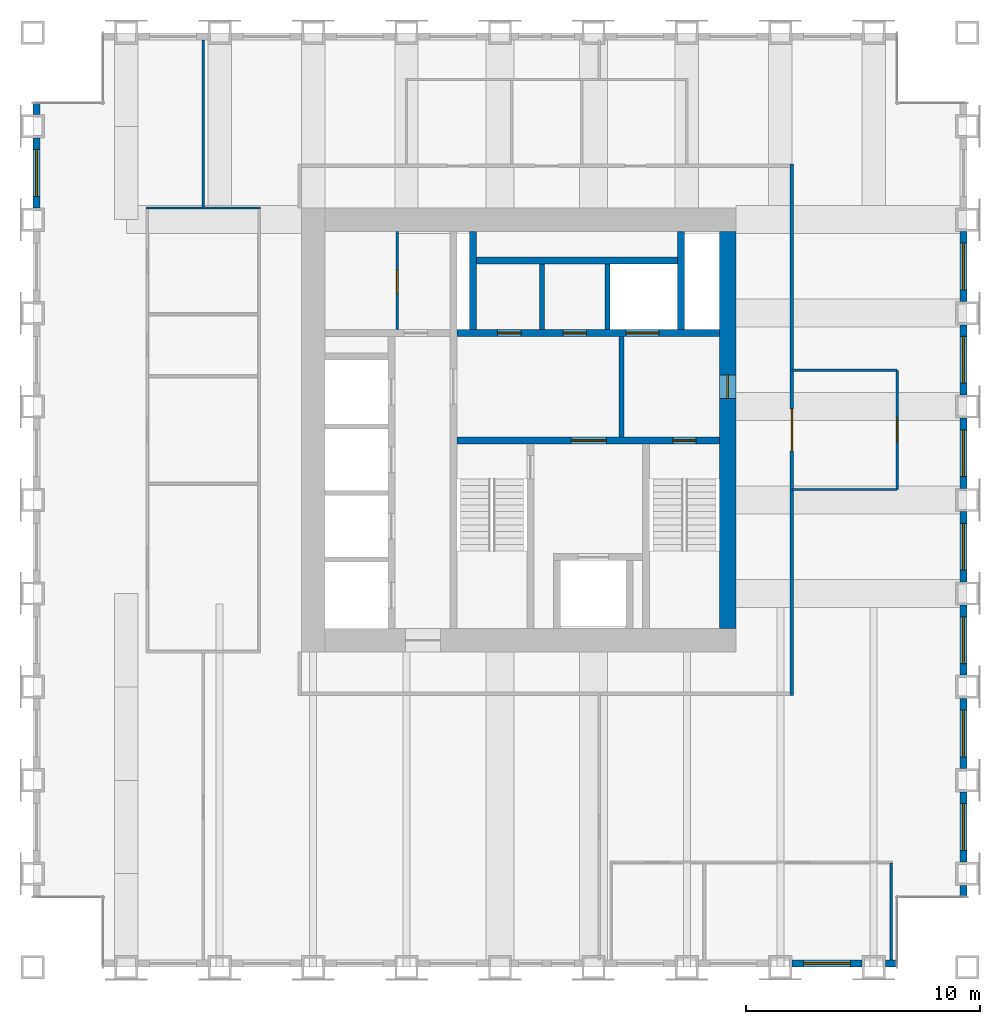
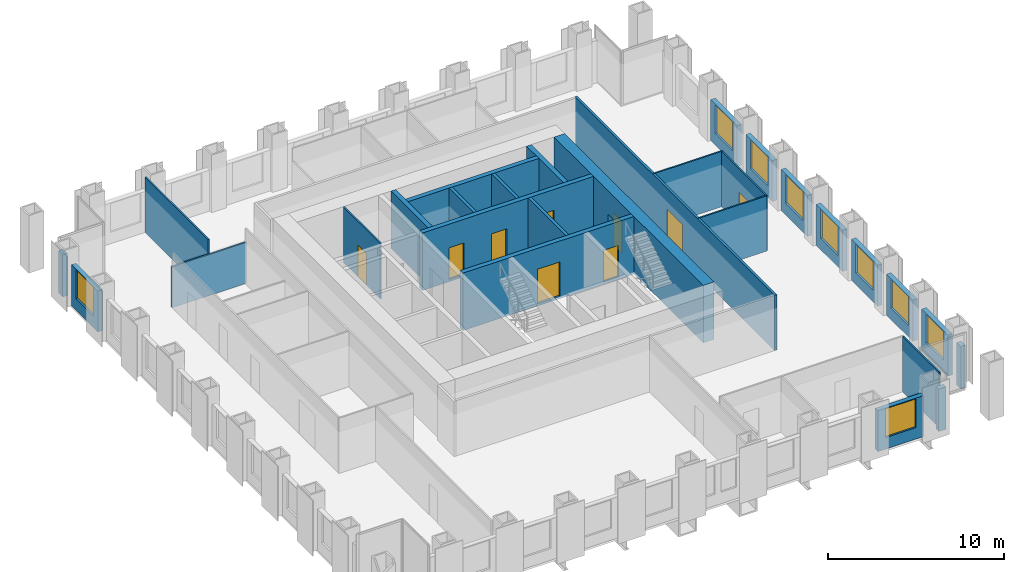
# One storey, part 8 of 10: 29 walls, 9 doors, 9 windows, 18 openings.
"""IFC4 building model written with IfcOpenShell, lengths in metres."""

from ifc_helpers import new_model, si_unit, direction, frame, frame_2d, origin, place, context, subcontext, project, spatial, rectangle, extrude, material, layer, layer_set, type_object, element, fill, save


model = new_model("IFC4")

# Units and contexts
model_context = context("Model", 3, precision=1e-05, world=origin(), true_north=direction((0.0, 1.0)))
body_context = subcontext(model_context, "Body", "Model", "MODEL_VIEW")
ifc_project = project(units=[si_unit("LENGTHUNIT", "METRE"), si_unit("AREAUNIT", "SQUARE_METRE"), si_unit("VOLUMEUNIT", "CUBIC_METRE"), si_unit("PLANEANGLEUNIT", "RADIAN"), si_unit("MASSUNIT", "GRAM", prefix="KILO")], contexts=[model_context])

# Site, building, storey
site_placement = place(None, origin())
site = spatial("IfcSite", under=ifc_project, at=site_placement, CompositionType="ELEMENT")
building_placement = place(site_placement, origin())
building = spatial("IfcBuilding", under=site, at=building_placement, Name="Rimbunsela Tower", CompositionType="ELEMENT")
storey_placement = place(building_placement, frame((0.0, 0.0, 274.199951171875)))
storey = spatial("IfcBuildingStorey", under=building, at=storey_placement, Name="L66", CompositionType="ELEMENT", Elevation=274.199951171875)

# Wall, openings, doors
ifc_material_1 = material(Name="Concrete fc' 80 MPa", Category="concrete")
ifc_layer_1 = layer(ifc_material_1, 0.300048828125)
ifc_layer_set_1 = layer_set([ifc_layer_1], Name="Core internal wall 300")
wall_type_1 = type_object("IfcWallType", Name="Core internal wall 300", PredefinedType="SHEAR", material=ifc_layer_set_1)
wall_1_placement = place(storey_placement, frame((24.14990234375, 26.550048828125, -0.14990234375), z_axis=(0.0, 0.0, 1.0), x_axis=(1.0, 0.0, 0.0)))
wall_1 = element("IfcWall", 1, at=wall_1_placement, inside=storey, type_object=wall_type_1, Name="Core wall lobby south", PredefinedType="SHEAR", context=body_context, shape_type="SweptSolid", body=[
    extrude(rectangle(XDim=11.25, YDim=0.300048828125, at=frame_2d((5.625, 0.0))), origin(), (0.0, 0.0, 1.0), 4.0),
])
opening_1_placement = place(wall_1_placement, frame((9.25, 0.0, 0.14990234375)))
opening_1 = element("IfcOpeningElement", 2, at=opening_1_placement, cuts=wall_1, Name="Opening D01", PredefinedType="OPENING", context=body_context, shape_type="SweptSolid", body=[
    extrude(rectangle(XDim=1.0, YDim=2.199951171875, at=frame_2d((0.5, 1.10009765625))), frame((0.0, 0.159912109375, 0.0), z_axis=(0.0, -1.0, 0.0), x_axis=(1.0, 0.0, 0.0)), (0.0, 0.0, 1.0), 0.320068359375),
])
opening_2_placement = place(wall_1_placement, frame((4.89990234375, 0.0, 0.14990234375)))
opening_2 = element("IfcOpeningElement", 3, at=opening_2_placement, cuts=wall_1, Name="Opening D03", PredefinedType="OPENING", context=body_context, shape_type="SweptSolid", body=[
    extrude(rectangle(XDim=1.5, YDim=2.39990234375, at=frame_2d((0.75, 1.199951171875))), frame((0.0, 0.159912109375, 0.0), z_axis=(0.0, -1.0, 0.0), x_axis=(1.0, 0.0, 0.0)), (0.0, 0.0, 1.0), 0.320068359375),
])
ifc_material_2 = material(Name="Steel door, fire rated", Category="steel")
door_type_1 = type_object("IfcDoorType", Name="Core lobby door 1500", OperationType="DOUBLE_DOOR_DOUBLE_SWING", PredefinedType="DOOR", material=ifc_material_2)
door_1_placement = place(opening_2_placement, origin())
door_1 = element("IfcDoor", 4, at=door_1_placement, inside=storey, type_object=door_type_1, Name="Firefighting lobby door", OperationType="DOUBLE_DOOR_DOUBLE_SWING", OverallHeight=2.39990234375, OverallWidth=1.5, PredefinedType="DOOR", context=body_context, shape_type="SweptSolid", body=[
    extrude(rectangle(XDim=1.5, YDim=2.39990234375, at=frame_2d((0.75, 1.199951171875))), frame((0.0, 0.02490234375, 0.0), z_axis=(0.0, -1.0, 0.0), x_axis=(1.0, 0.0, 0.0)), (0.0, 0.0, 1.0), 0.050048828125),
])
fill(opening_2, door_1)
ifc_material_3 = material(Name="Steel door, fire rated", Category="steel")
door_type_2 = type_object("IfcDoorType", Name="Stair door 1000", OperationType="SINGLE_SWING_RIGHT", PredefinedType="DOOR", material=ifc_material_3)
door_2_placement = place(opening_1_placement, frame((1.0, 0.0, 0.0), z_axis=(0.0, 0.0, 1.0), x_axis=(-1.0, 0.0, 0.0)))
door_2 = element("IfcDoor", 5, at=door_2_placement, inside=storey, type_object=door_type_2, Name="Stair B door", OperationType="SINGLE_SWING_RIGHT", OverallHeight=2.199951171875, OverallWidth=1.0, PredefinedType="DOOR", context=body_context, shape_type="SweptSolid", body=[
    extrude(rectangle(XDim=1.0, YDim=2.199951171875, at=frame_2d((0.5, 1.10009765625))), frame((0.0, 0.02490234375, 0.0), z_axis=(0.0, -1.0, 0.0), x_axis=(1.0, 0.0, 0.0)), (0.0, 0.0, 1.0), 0.050048828125),
])
fill(opening_1, door_2)

wall_2_placement = place(storey_placement, frame((24.14990234375, 31.14990234375, -0.14990234375), z_axis=(0.0, 0.0, 1.0), x_axis=(1.0, 0.0, 0.0)))
wall_2 = element("IfcWall", 6, at=wall_2_placement, inside=storey, type_object=wall_type_1, Name="Lift shaft front north", PredefinedType="SHEAR", context=body_context, shape_type="SweptSolid", body=[
    extrude(rectangle(XDim=11.25, YDim=0.300048828125, at=frame_2d((5.625, 0.0))), origin(), (0.0, 0.0, 1.0), 4.0),
])
opening_3_placement = place(wall_2_placement, frame((1.75, 0.0, 0.14990234375)))
opening_3 = element("IfcOpeningElement", 7, at=opening_3_placement, cuts=wall_2, Name="Opening D19", PredefinedType="OPENING", context=body_context, shape_type="SweptSolid", body=[
    extrude(rectangle(XDim=1.0, YDim=2.199951171875, at=frame_2d((0.5, 1.10009765625))), frame((0.0, 0.159912109375, 0.0), z_axis=(0.0, -1.0, 0.0), x_axis=(1.0, 0.0, 0.0)), (0.0, 0.0, 1.0), 0.320068359375),
])
opening_4_placement = place(wall_2_placement, frame((4.550048828125, 0.0, 0.14990234375)))
opening_4 = element("IfcOpeningElement", 8, at=opening_4_placement, cuts=wall_2, Name="Opening D19", PredefinedType="OPENING", context=body_context, shape_type="SweptSolid", body=[
    extrude(rectangle(XDim=1.0, YDim=2.199951171875, at=frame_2d((0.5, 1.10009765625))), frame((0.0, 0.159912109375, 0.0), z_axis=(0.0, -1.0, 0.0), x_axis=(1.0, 0.0, 0.0)), (0.0, 0.0, 1.0), 0.320068359375),
])
opening_5_placement = place(wall_2_placement, frame((7.25, 0.0, 0.14990234375)))
opening_5 = element("IfcOpeningElement", 9, at=opening_5_placement, cuts=wall_2, Name="Opening LD3", PredefinedType="OPENING", context=body_context, shape_type="SweptSolid", body=[
    extrude(rectangle(XDim=1.39990234375, YDim=2.39990234375, at=frame_2d((0.699951171875, 1.199951171875))), frame((0.0, 0.159912109375, 0.0), z_axis=(0.0, -1.0, 0.0), x_axis=(1.0, 0.0, 0.0)), (0.0, 0.0, 1.0), 0.320068359375),
])
ifc_material_4 = material(Name="Steel door, fire rated", Category="steel")
door_type_3 = type_object("IfcDoorType", Name="Lift landing door 1400", OperationType="DOUBLE_DOOR_SLIDING", PredefinedType="DOOR", material=ifc_material_4)
door_3_placement = place(opening_5_placement, origin())
door_3 = element("IfcDoor", 10, at=door_3_placement, inside=storey, type_object=door_type_3, Name="Lift landing door FL2", OperationType="DOUBLE_DOOR_SLIDING", OverallHeight=2.39990234375, OverallWidth=1.39990234375, PredefinedType="DOOR", context=body_context, shape_type="SweptSolid", body=[
    extrude(rectangle(XDim=1.39990234375, YDim=2.39990234375, at=frame_2d((0.699951171875, 1.199951171875))), frame((0.0, 0.02490234375, 0.0), z_axis=(0.0, -1.0, 0.0), x_axis=(1.0, 0.0, 0.0)), (0.0, 0.0, 1.0), 0.050048828125),
])
fill(opening_5, door_3)
ifc_material_5 = material(Name="Steel door, fire rated", Category="steel")
door_type_4 = type_object("IfcDoorType", Name="Service door 1000 fire rated", OperationType="SINGLE_SWING_LEFT", PredefinedType="DOOR", material=ifc_material_5)
door_4_placement = place(opening_3_placement, origin())
door_4 = element("IfcDoor", 11, at=door_4_placement, inside=storey, type_object=door_type_4, Name="Staff WC door", OperationType="SINGLE_SWING_LEFT", OverallHeight=2.199951171875, OverallWidth=1.0, PredefinedType="DOOR", context=body_context, shape_type="SweptSolid", body=[
    extrude(rectangle(XDim=1.0, YDim=2.199951171875, at=frame_2d((0.5, 1.10009765625))), frame((0.0, 0.02490234375, 0.0), z_axis=(0.0, -1.0, 0.0), x_axis=(1.0, 0.0, 0.0)), (0.0, 0.0, 1.0), 0.050048828125),
])
fill(opening_3, door_4)
door_5_placement = place(opening_4_placement, origin())
door_5 = element("IfcDoor", 12, at=door_5_placement, inside=storey, type_object=door_type_4, Name="Cleaners store door", OperationType="SINGLE_SWING_LEFT", OverallHeight=2.199951171875, OverallWidth=1.0, PredefinedType="DOOR", context=body_context, shape_type="SweptSolid", body=[
    extrude(rectangle(XDim=1.0, YDim=2.199951171875, at=frame_2d((0.5, 1.10009765625))), frame((0.0, 0.02490234375, 0.0), z_axis=(0.0, -1.0, 0.0), x_axis=(1.0, 0.0, 0.0)), (0.0, 0.0, 1.0), 0.050048828125),
])
fill(opening_4, door_5)

# Walls
for number, where, z_axis, x_axis, name in (
    (13, (24.85009765625, 31.300048828125, -0.14990234375), (0.0, 0.0, 1.0), (0.0, 1.0, 0.0), "Riser wall"),
    (14, (33.75, 31.300048828125, -0.14990234375), (0.0, 0.0, 1.0), (0.0, 1.0, 0.0), "Riser wall"),
):
    element("IfcWall", number, at=place(storey_placement, frame(where, z_axis=z_axis, x_axis=x_axis)), inside=storey, type_object=wall_type_1, Name=name, PredefinedType="SHEAR", context=body_context, shape_type="SweptSolid", body=[
        extrude(rectangle(XDim=4.199951171875, YDim=0.300048828125, at=frame_2d((2.10009765625, 0.0))), origin(), (0.0, 0.0, 1.0), 4.0),
    ])
wall_3_placement = place(storey_placement, frame((25.0, 34.25, -0.14990234375), z_axis=(0.0, 0.0, 1.0), x_axis=(1.0, 0.0, 0.0)))
element("IfcWall", 15, at=wall_3_placement, inside=storey, type_object=wall_type_1, Name="Lift shaft rear north", PredefinedType="SHEAR", context=body_context, shape_type="SweptSolid", body=[
    extrude(rectangle(XDim=8.60009765625, YDim=0.300048828125, at=frame_2d((4.300048828125, 0.0))), origin(), (0.0, 0.0, 1.0), 4.0),
])

# Wall, opening, door
ifc_material_6 = material(Name="Concrete blockwork", Category="masonry")
ifc_layer_2 = layer(ifc_material_6, 0.10009765625)
ifc_layer_set_2 = layer_set([ifc_layer_2], Name="Core room partition 100")
wall_type_2 = type_object("IfcWallType", Name="Core room partition 100", PredefinedType="PARTITIONING", material=ifc_layer_set_2)
wall_4_placement = place(storey_placement, frame((21.60009765625, 31.300048828125, 0.0), z_axis=(0.0, 0.0, 1.0), x_axis=(0.0, 1.0, 0.0)))
wall_4 = element("IfcWall", 16, at=wall_4_placement, inside=storey, type_object=wall_type_2, Name="Equipment store wall", PredefinedType="PARTITIONING", context=body_context, shape_type="SweptSolid", body=[
    extrude(rectangle(XDim=4.199951171875, YDim=0.10009765625, at=frame_2d((2.10009765625, 0.0))), origin(), (0.0, 0.0, 1.0), 3.85009765625),
])
opening_6_placement = place(wall_4_placement, frame((1.550048828125, 0.0, 0.0)))
opening_6 = element("IfcOpeningElement", 17, at=opening_6_placement, cuts=wall_4, Name="Opening D19", PredefinedType="OPENING", context=body_context, shape_type="SweptSolid", body=[
    extrude(rectangle(XDim=1.0, YDim=2.199951171875, at=frame_2d((0.5, 1.10009765625))), frame((0.0, 0.06005859375, 0.0), z_axis=(0.0, -1.0, 0.0), x_axis=(1.0, 0.0, 0.0)), (0.0, 0.0, 1.0), 0.1201171875),
])
door_6_placement = place(opening_6_placement, origin())
door_6 = element("IfcDoor", 18, at=door_6_placement, inside=storey, type_object=door_type_4, Name="Equipment store door", OperationType="SINGLE_SWING_LEFT", OverallHeight=2.199951171875, OverallWidth=1.0, PredefinedType="DOOR", context=body_context, shape_type="SweptSolid", body=[
    extrude(rectangle(XDim=1.0, YDim=2.199951171875, at=frame_2d((0.5, 1.10009765625))), frame((0.0, 0.02490234375, 0.0), z_axis=(0.0, -1.0, 0.0), x_axis=(1.0, 0.0, 0.0)), (0.0, 0.0, 1.0), 0.050048828125),
])
fill(opening_6, door_6)

ifc_material_7 = material(Name="Concrete fc' 80 MPa", Category="concrete")
ifc_layer_3 = layer(ifc_material_7, 0.699951171875)
ifc_layer_set_3 = layer_set([ifc_layer_3], Name="Core wall 700 east")
wall_type_3 = type_object("IfcWallType", Name="Core wall 700 east", PredefinedType="SHEAR", material=ifc_layer_set_3)
wall_5_placement = place(storey_placement, frame((35.75, 18.5, -0.14990234375), z_axis=(0.0, 0.0, 1.0), x_axis=(0.0, 1.0, 0.0)))
wall_5 = element("IfcWall", 19, at=wall_5_placement, inside=storey, type_object=wall_type_3, Name="Core wall east", PredefinedType="SHEAR", context=body_context, shape_type="SweptSolid", body=[
    extrude(rectangle(XDim=17.0, YDim=0.699951171875, at=frame_2d((8.5, 0.0))), origin(), (0.0, 0.0, 1.0), 4.0),
])
opening_7_placement = place(wall_5_placement, frame((9.85009765625, 0.0, 0.14990234375)))
opening_7 = element("IfcOpeningElement", 20, at=opening_7_placement, cuts=wall_5, Name="Opening D01", PredefinedType="OPENING", context=body_context, shape_type="SweptSolid", body=[
    extrude(rectangle(XDim=1.0, YDim=2.199951171875, at=frame_2d((0.5, 1.10009765625))), frame((0.0, 0.35986328125, 0.0), z_axis=(0.0, -1.0, 0.0), x_axis=(1.0, 0.0, 0.0)), (0.0, 0.0, 1.0), 0.719970703125),
])
door_7_placement = place(opening_7_placement, origin())
door_7 = element("IfcDoor", 21, at=door_7_placement, inside=storey, type_object=door_type_2, Name="Firefighting lobby 2 door", OperationType="SINGLE_SWING_RIGHT", OverallHeight=2.199951171875, OverallWidth=1.0, PredefinedType="DOOR", context=body_context, shape_type="SweptSolid", body=[
    extrude(rectangle(XDim=1.0, YDim=2.199951171875, at=frame_2d((0.5, 1.10009765625))), frame((0.0, 0.02490234375, 0.0), z_axis=(0.0, -1.0, 0.0), x_axis=(1.0, 0.0, 0.0)), (0.0, 0.0, 1.0), 0.050048828125),
])
fill(opening_7, door_7)

# Walls
ifc_material_8 = material(Name="Concrete blockwork", Category="masonry")
ifc_layer_4 = layer(ifc_material_8, 0.199951171875)
ifc_layer_set_4 = layer_set([ifc_layer_4], Name="Lift shaft wall 200")
wall_type_4 = type_object("IfcWallType", Name="Lift shaft wall 200", PredefinedType="SOLIDWALL", material=ifc_layer_set_4)
wall_6_placement = place(storey_placement, frame((27.800048828125, 31.300048828125, 0.0), z_axis=(0.0, 0.0, 1.0), x_axis=(0.0, 1.0, 0.0)))
element("IfcWall", 22, at=wall_6_placement, inside=storey, type_object=wall_type_4, Name="Lift shaft separation", PredefinedType="SOLIDWALL", context=body_context, shape_type="SweptSolid", body=[
    extrude(rectangle(XDim=2.800048828125, YDim=0.199951171875, at=frame_2d((1.39990234375, 0.0))), origin(), (0.0, 0.0, 1.0), 3.85009765625),
])
wall_7_placement = place(storey_placement, frame((30.60009765625, 31.300048828125, -0.14990234375), z_axis=(0.0, 0.0, 1.0), x_axis=(0.0, 1.0, 0.0)))
element("IfcWall", 23, at=wall_7_placement, inside=storey, type_object=wall_type_4, Name="Lift shaft separation", PredefinedType="SOLIDWALL", context=body_context, shape_type="SweptSolid", body=[
    extrude(rectangle(XDim=2.800048828125, YDim=0.199951171875, at=frame_2d((1.39990234375, 0.0))), origin(), (0.0, 0.0, 1.0), 4.0),
])
wall_8_placement = place(storey_placement, frame((31.199951171875, 26.699951171875, 0.0), z_axis=(0.0, 0.0, 1.0), x_axis=(0.0, 1.0, 0.0)))
element("IfcWall", 24, at=wall_8_placement, inside=storey, type_object=wall_type_4, Name="Firefighting lobby 2 wall", PredefinedType="SOLIDWALL", context=body_context, shape_type="SweptSolid", body=[
    extrude(rectangle(XDim=4.300048828125, YDim=0.199951171875, at=frame_2d((2.14990234375, 0.0))), origin(), (0.0, 0.0, 1.0), 3.85009765625),
])
ifc_material_9 = material(Name="Gypsum board on steel studs", Category="steel")
ifc_layer_5 = layer(ifc_material_9, 0.10009765625)
ifc_layer_set_5 = layer_set([ifc_layer_5], Name="Office partition 100")
wall_type_5 = type_object("IfcWallType", Name="Office partition 100", PredefinedType="PARTITIONING", material=ifc_layer_set_5)
wall_9_placement = place(storey_placement, frame((10.85009765625, 36.5, 0.0), z_axis=(0.0, 0.0, 1.0), x_axis=(1.0, 0.0, 0.0)))
element("IfcWall", 25, at=wall_9_placement, inside=storey, type_object=wall_type_5, Name="Office partition", PredefinedType="PARTITIONING", context=body_context, shape_type="SweptSolid", body=[
    extrude(rectangle(XDim=4.89990234375, YDim=0.10009765625, at=frame_2d((2.449951171875, 0.0))), origin(), (0.0, 0.0, 1.0), 2.85009765625),
])
wall_10_placement = place(storey_placement, frame((42.75, 4.300048828125, 0.0), z_axis=(0.0, 0.0, 1.0), x_axis=(0.0, 1.0, 0.0)))
element("IfcWall", 26, at=wall_10_placement, inside=storey, type_object=wall_type_5, Name="Office partition", PredefinedType="PARTITIONING", context=body_context, shape_type="SweptSolid", body=[
    extrude(rectangle(XDim=4.14990234375, YDim=0.10009765625, at=frame_2d((2.074951171875, 0.0))), origin(), (0.0, 0.0, 1.0), 3.85009765625),
])
wall_11_placement = place(storey_placement, frame((13.300048828125, 36.550048828125, 0.0), z_axis=(0.0, 0.0, 1.0), x_axis=(0.0, 1.0, 0.0)))
element("IfcWall", 27, at=wall_11_placement, inside=storey, type_object=wall_type_5, Name="Office partition", PredefinedType="PARTITIONING", context=body_context, shape_type="SweptSolid", body=[
    extrude(rectangle(XDim=7.14990234375, YDim=0.10009765625, at=frame_2d((3.574951171875, 0.0))), origin(), (0.0, 0.0, 1.0), 3.85009765625),
])
wall_12_placement = place(storey_placement, frame((38.5, 24.449951171875, 0.0), z_axis=(0.0, 0.0, 1.0), x_axis=(1.0, 0.0, 0.0)))
element("IfcWall", 28, at=wall_12_placement, inside=storey, type_object=wall_type_5, Name="Office partition", PredefinedType="PARTITIONING", context=body_context, shape_type="SweptSolid", body=[
    extrude(rectangle(XDim=4.5, YDim=0.10009765625, at=frame_2d((2.25, 0.0))), origin(), (0.0, 0.0, 1.0), 3.85009765625),
])

# Wall, opening, door
wall_13_placement = place(storey_placement, frame((43.0, 24.449951171875, 0.0), z_axis=(0.0, 0.0, 1.0), x_axis=(0.0, 1.0, 0.0)))
wall_13 = element("IfcWall", 29, at=wall_13_placement, inside=storey, type_object=wall_type_5, Name="Office partition", PredefinedType="PARTITIONING", context=body_context, shape_type="SweptSolid", body=[
    extrude(rectangle(XDim=5.10009765625, YDim=0.10009765625, at=frame_2d((2.550048828125, 0.0))), origin(), (0.0, 0.0, 1.0), 3.85009765625),
])
opening_8_placement = place(wall_13_placement, frame((2.050048828125, 0.0, 0.0)))
opening_8 = element("IfcOpeningElement", 30, at=opening_8_placement, cuts=wall_13, Name="Opening D17", PredefinedType="OPENING", context=body_context, shape_type="SweptSolid", body=[
    extrude(rectangle(XDim=1.0, YDim=2.199951171875, at=frame_2d((0.5, 1.10009765625))), frame((0.0, 0.06005859375, 0.0), z_axis=(0.0, -1.0, 0.0), x_axis=(1.0, 0.0, 0.0)), (0.0, 0.0, 1.0), 0.1201171875),
])
ifc_material_10 = material(Name="Glazed aluminium door", Category="aluminium")
door_type_5 = type_object("IfcDoorType", Name="Meeting room door 1000 glazed", OperationType="SINGLE_SWING_RIGHT", PredefinedType="DOOR", material=ifc_material_10)
door_8_placement = place(opening_8_placement, origin())
door_8 = element("IfcDoor", 31, at=door_8_placement, inside=storey, type_object=door_type_5, Name="Reception door", OperationType="SINGLE_SWING_RIGHT", OverallHeight=2.199951171875, OverallWidth=1.0, PredefinedType="DOOR", context=body_context, shape_type="SweptSolid", body=[
    extrude(rectangle(XDim=1.0, YDim=2.199951171875, at=frame_2d((0.5, 1.10009765625))), frame((0.0, 0.02490234375, 0.0), z_axis=(0.0, -1.0, 0.0), x_axis=(1.0, 0.0, 0.0)), (0.0, 0.0, 1.0), 0.050048828125),
])
fill(opening_8, door_8)

# Wall
wall_14_placement = place(storey_placement, frame((43.0, 29.550048828125, 0.0), z_axis=(0.0, 0.0, 1.0), x_axis=(-1.0, 0.0, 0.0)))
element("IfcWall", 32, at=wall_14_placement, inside=storey, type_object=wall_type_5, Name="Office partition", PredefinedType="PARTITIONING", context=body_context, shape_type="SweptSolid", body=[
    extrude(rectangle(XDim=4.5, YDim=0.10009765625, at=frame_2d((2.25, 0.0))), origin(), (0.0, 0.0, 1.0), 3.85009765625),
])

# Wall, opening, window
ifc_material_11 = material(Name="Precast concrete fc' 35 MPa", Category="concrete")
ifc_layer_6 = layer(ifc_material_11, 0.300048828125)
ifc_layer_set_6 = layer_set([ifc_layer_6], Name="Precast concrete fc' 35 MPa")
wall_type_6 = type_object("IfcWallType", Name="Precast facade panel 300", PredefinedType="ELEMENTEDWALL", material=ifc_layer_set_6)
wall_15_placement = place(storey_placement, frame((38.5, 4.14990234375, 0.0), z_axis=(0.0, 0.0, 1.0), x_axis=(1.0, 0.0, 0.0)))
wall_15 = element("IfcWall", 33, at=wall_15_placement, inside=storey, type_object=wall_type_6, Name="Facade panel S L66", PredefinedType="ELEMENTEDWALL", context=body_context, shape_type="SweptSolid", body=[
    extrude(rectangle(XDim=3.0, YDim=0.300048828125, at=frame_2d((1.5, 0.0))), origin(), (0.0, 0.0, 1.0), 2.85009765625),
])
opening_9_placement = place(wall_15_placement, frame((0.5, 0.0, 0.800048828125)))
opening_9 = element("IfcOpeningElement", 34, at=opening_9_placement, cuts=wall_15, Name="Opening W1", PredefinedType="OPENING", context=body_context, shape_type="SweptSolid", body=[
    extrude(rectangle(XDim=2.0, YDim=2.0, at=frame_2d((1.0, 1.0))), frame((0.0, 0.159912109375, 0.0), z_axis=(0.0, -1.0, 0.0), x_axis=(1.0, 0.0, 0.0)), (0.0, 0.0, 1.0), 0.320068359375),
])
ifc_material_12 = material(Name="Clear glass in aluminium frame", Category="aluminium")
window_type = type_object("IfcWindowType", Name="Window W1 2000x2000", PartitioningType="DOUBLE_PANEL_VERTICAL", PredefinedType="WINDOW", material=ifc_material_12)
window_1_placement = place(opening_9_placement, origin())
window_1 = element("IfcWindow", 35, at=window_1_placement, inside=storey, type_object=window_type, Name="Window L66", OverallHeight=2.0, OverallWidth=2.0, PartitioningType="SINGLE_PANEL", PredefinedType="WINDOW", context=body_context, shape_type="SweptSolid", body=[
    extrude(rectangle(XDim=2.0, YDim=2.0, at=frame_2d((1.0, 1.0))), frame((0.0, 0.030029296875, 0.0), z_axis=(0.0, -1.0, 0.0), x_axis=(1.0, 0.0, 0.0)), (0.0, 0.0, 1.0), 0.06005859375),
])
fill(opening_9, window_1)

# Walls
for number, where, z_axis, x_axis, name in (
    (36, (42.5, 4.14990234375, 0.0), (0.0, 0.0, 1.0), (1.0, 0.0, 0.0), "Facade panel S L66"),
    (37, (45.85009765625, 7.030029296875, 0.0), (0.0, 0.0, 1.0), (0.0, 1.0, 0.0), "Facade panel E L66"),
):
    element("IfcWall", number, at=place(storey_placement, frame(where, z_axis=z_axis, x_axis=x_axis)), inside=storey, type_object=wall_type_6, Name=name, PredefinedType="ELEMENTEDWALL", context=body_context, shape_type="SweptSolid", body=[
        extrude(rectangle(XDim=0.469970703125, YDim=0.300048828125, at=frame_2d((0.23486328125, 0.0))), origin(), (0.0, 0.0, 1.0), 2.949951171875),
    ])

# Wall, opening, window
wall_16_placement = place(storey_placement, frame((45.85009765625, 8.5, 0.0), z_axis=(0.0, 0.0, 1.0), x_axis=(0.0, 1.0, 0.0)))
wall_16 = element("IfcWall", 38, at=wall_16_placement, inside=storey, type_object=wall_type_6, Name="Facade panel E L66", PredefinedType="ELEMENTEDWALL", context=body_context, shape_type="SweptSolid", body=[
    extrude(rectangle(XDim=3.0, YDim=0.300048828125, at=frame_2d((1.5, 0.0))), origin(), (0.0, 0.0, 1.0), 2.85009765625),
])
opening_10_placement = place(wall_16_placement, frame((0.5, 0.0, 0.800048828125)))
opening_10 = element("IfcOpeningElement", 39, at=opening_10_placement, cuts=wall_16, Name="Opening W1", PredefinedType="OPENING", context=body_context, shape_type="SweptSolid", body=[
    extrude(rectangle(XDim=2.0, YDim=2.0, at=frame_2d((1.0, 1.0))), frame((0.0, 0.159912109375, 0.0), z_axis=(0.0, -1.0, 0.0), x_axis=(1.0, 0.0, 0.0)), (0.0, 0.0, 1.0), 0.320068359375),
])
window_2_placement = place(opening_10_placement, origin())
window_2 = element("IfcWindow", 40, at=window_2_placement, inside=storey, type_object=window_type, Name="Window L66", OverallHeight=2.0, OverallWidth=2.0, PartitioningType="SINGLE_PANEL", PredefinedType="WINDOW", context=body_context, shape_type="SweptSolid", body=[
    extrude(rectangle(XDim=2.0, YDim=2.0, at=frame_2d((1.0, 1.0))), frame((0.0, 0.030029296875, 0.0), z_axis=(0.0, -1.0, 0.0), x_axis=(1.0, 0.0, 0.0)), (0.0, 0.0, 1.0), 0.06005859375),
])
fill(opening_10, window_2)

wall_17_placement = place(storey_placement, frame((45.85009765625, 12.5, 0.0), z_axis=(0.0, 0.0, 1.0), x_axis=(0.0, 1.0, 0.0)))
wall_17 = element("IfcWall", 41, at=wall_17_placement, inside=storey, type_object=wall_type_6, Name="Facade panel E L66", PredefinedType="ELEMENTEDWALL", context=body_context, shape_type="SweptSolid", body=[
    extrude(rectangle(XDim=3.0, YDim=0.300048828125, at=frame_2d((1.5, 0.0))), origin(), (0.0, 0.0, 1.0), 2.85009765625),
])
opening_11_placement = place(wall_17_placement, frame((0.5, 0.0, 0.800048828125)))
opening_11 = element("IfcOpeningElement", 42, at=opening_11_placement, cuts=wall_17, Name="Opening W1", PredefinedType="OPENING", context=body_context, shape_type="SweptSolid", body=[
    extrude(rectangle(XDim=2.0, YDim=2.0, at=frame_2d((1.0, 1.0))), frame((0.0, 0.159912109375, 0.0), z_axis=(0.0, -1.0, 0.0), x_axis=(1.0, 0.0, 0.0)), (0.0, 0.0, 1.0), 0.320068359375),
])
window_3_placement = place(opening_11_placement, origin())
window_3 = element("IfcWindow", 43, at=window_3_placement, inside=storey, type_object=window_type, Name="Window L66", OverallHeight=2.0, OverallWidth=2.0, PartitioningType="SINGLE_PANEL", PredefinedType="WINDOW", context=body_context, shape_type="SweptSolid", body=[
    extrude(rectangle(XDim=2.0, YDim=2.0, at=frame_2d((1.0, 1.0))), frame((0.0, 0.030029296875, 0.0), z_axis=(0.0, -1.0, 0.0), x_axis=(1.0, 0.0, 0.0)), (0.0, 0.0, 1.0), 0.06005859375),
])
fill(opening_11, window_3)

wall_18_placement = place(storey_placement, frame((45.85009765625, 16.5, 0.0), z_axis=(0.0, 0.0, 1.0), x_axis=(0.0, 1.0, 0.0)))
wall_18 = element("IfcWall", 44, at=wall_18_placement, inside=storey, type_object=wall_type_6, Name="Facade panel E L66", PredefinedType="ELEMENTEDWALL", context=body_context, shape_type="SweptSolid", body=[
    extrude(rectangle(XDim=3.0, YDim=0.300048828125, at=frame_2d((1.5, 0.0))), origin(), (0.0, 0.0, 1.0), 2.85009765625),
])
opening_12_placement = place(wall_18_placement, frame((0.5, 0.0, 0.800048828125)))
opening_12 = element("IfcOpeningElement", 45, at=opening_12_placement, cuts=wall_18, Name="Opening W1", PredefinedType="OPENING", context=body_context, shape_type="SweptSolid", body=[
    extrude(rectangle(XDim=2.0, YDim=2.0, at=frame_2d((1.0, 1.0))), frame((0.0, 0.159912109375, 0.0), z_axis=(0.0, -1.0, 0.0), x_axis=(1.0, 0.0, 0.0)), (0.0, 0.0, 1.0), 0.320068359375),
])
window_4_placement = place(opening_12_placement, origin())
window_4 = element("IfcWindow", 46, at=window_4_placement, inside=storey, type_object=window_type, Name="Window L66", OverallHeight=2.0, OverallWidth=2.0, PartitioningType="SINGLE_PANEL", PredefinedType="WINDOW", context=body_context, shape_type="SweptSolid", body=[
    extrude(rectangle(XDim=2.0, YDim=2.0, at=frame_2d((1.0, 1.0))), frame((0.0, 0.030029296875, 0.0), z_axis=(0.0, -1.0, 0.0), x_axis=(1.0, 0.0, 0.0)), (0.0, 0.0, 1.0), 0.06005859375),
])
fill(opening_12, window_4)

wall_19_placement = place(storey_placement, frame((45.85009765625, 20.5, 0.0), z_axis=(0.0, 0.0, 1.0), x_axis=(0.0, 1.0, 0.0)))
wall_19 = element("IfcWall", 47, at=wall_19_placement, inside=storey, type_object=wall_type_6, Name="Facade panel E L66", PredefinedType="ELEMENTEDWALL", context=body_context, shape_type="SweptSolid", body=[
    extrude(rectangle(XDim=3.0, YDim=0.300048828125, at=frame_2d((1.5, 0.0))), origin(), (0.0, 0.0, 1.0), 2.85009765625),
])
opening_13_placement = place(wall_19_placement, frame((0.5, 0.0, 0.800048828125)))
opening_13 = element("IfcOpeningElement", 48, at=opening_13_placement, cuts=wall_19, Name="Opening W1", PredefinedType="OPENING", context=body_context, shape_type="SweptSolid", body=[
    extrude(rectangle(XDim=2.0, YDim=2.0, at=frame_2d((1.0, 1.0))), frame((0.0, 0.159912109375, 0.0), z_axis=(0.0, -1.0, 0.0), x_axis=(1.0, 0.0, 0.0)), (0.0, 0.0, 1.0), 0.320068359375),
])
window_5_placement = place(opening_13_placement, origin())
window_5 = element("IfcWindow", 49, at=window_5_placement, inside=storey, type_object=window_type, Name="Window L66", OverallHeight=2.0, OverallWidth=2.0, PartitioningType="SINGLE_PANEL", PredefinedType="WINDOW", context=body_context, shape_type="SweptSolid", body=[
    extrude(rectangle(XDim=2.0, YDim=2.0, at=frame_2d((1.0, 1.0))), frame((0.0, 0.030029296875, 0.0), z_axis=(0.0, -1.0, 0.0), x_axis=(1.0, 0.0, 0.0)), (0.0, 0.0, 1.0), 0.06005859375),
])
fill(opening_13, window_5)

wall_20_placement = place(storey_placement, frame((45.85009765625, 24.5, 0.0), z_axis=(0.0, 0.0, 1.0), x_axis=(0.0, 1.0, 0.0)))
wall_20 = element("IfcWall", 50, at=wall_20_placement, inside=storey, type_object=wall_type_6, Name="Facade panel E L66", PredefinedType="ELEMENTEDWALL", context=body_context, shape_type="SweptSolid", body=[
    extrude(rectangle(XDim=3.0, YDim=0.300048828125, at=frame_2d((1.5, 0.0))), origin(), (0.0, 0.0, 1.0), 2.85009765625),
])
opening_14_placement = place(wall_20_placement, frame((0.5, 0.0, 0.800048828125)))
opening_14 = element("IfcOpeningElement", 51, at=opening_14_placement, cuts=wall_20, Name="Opening W1", PredefinedType="OPENING", context=body_context, shape_type="SweptSolid", body=[
    extrude(rectangle(XDim=2.0, YDim=2.0, at=frame_2d((1.0, 1.0))), frame((0.0, 0.159912109375, 0.0), z_axis=(0.0, -1.0, 0.0), x_axis=(1.0, 0.0, 0.0)), (0.0, 0.0, 1.0), 0.320068359375),
])
window_6_placement = place(opening_14_placement, origin())
window_6 = element("IfcWindow", 52, at=window_6_placement, inside=storey, type_object=window_type, Name="Window L66", OverallHeight=2.0, OverallWidth=2.0, PartitioningType="SINGLE_PANEL", PredefinedType="WINDOW", context=body_context, shape_type="SweptSolid", body=[
    extrude(rectangle(XDim=2.0, YDim=2.0, at=frame_2d((1.0, 1.0))), frame((0.0, 0.030029296875, 0.0), z_axis=(0.0, -1.0, 0.0), x_axis=(1.0, 0.0, 0.0)), (0.0, 0.0, 1.0), 0.06005859375),
])
fill(opening_14, window_6)

wall_21_placement = place(storey_placement, frame((45.85009765625, 28.5, 0.0), z_axis=(0.0, 0.0, 1.0), x_axis=(0.0, 1.0, 0.0)))
wall_21 = element("IfcWall", 53, at=wall_21_placement, inside=storey, type_object=wall_type_6, Name="Facade panel E L66", PredefinedType="ELEMENTEDWALL", context=body_context, shape_type="SweptSolid", body=[
    extrude(rectangle(XDim=3.0, YDim=0.300048828125, at=frame_2d((1.5, 0.0))), origin(), (0.0, 0.0, 1.0), 2.85009765625),
])
opening_15_placement = place(wall_21_placement, frame((0.5, 0.0, 0.800048828125)))
opening_15 = element("IfcOpeningElement", 54, at=opening_15_placement, cuts=wall_21, Name="Opening W1", PredefinedType="OPENING", context=body_context, shape_type="SweptSolid", body=[
    extrude(rectangle(XDim=2.0, YDim=2.0, at=frame_2d((1.0, 1.0))), frame((0.0, 0.159912109375, 0.0), z_axis=(0.0, -1.0, 0.0), x_axis=(1.0, 0.0, 0.0)), (0.0, 0.0, 1.0), 0.320068359375),
])
window_7_placement = place(opening_15_placement, origin())
window_7 = element("IfcWindow", 55, at=window_7_placement, inside=storey, type_object=window_type, Name="Window L66", OverallHeight=2.0, OverallWidth=2.0, PartitioningType="SINGLE_PANEL", PredefinedType="WINDOW", context=body_context, shape_type="SweptSolid", body=[
    extrude(rectangle(XDim=2.0, YDim=2.0, at=frame_2d((1.0, 1.0))), frame((0.0, 0.030029296875, 0.0), z_axis=(0.0, -1.0, 0.0), x_axis=(1.0, 0.0, 0.0)), (0.0, 0.0, 1.0), 0.06005859375),
])
fill(opening_15, window_7)

wall_22_placement = place(storey_placement, frame((45.85009765625, 32.5, 0.0), z_axis=(0.0, 0.0, 1.0), x_axis=(0.0, 1.0, 0.0)))
wall_22 = element("IfcWall", 56, at=wall_22_placement, inside=storey, type_object=wall_type_6, Name="Facade panel E L66", PredefinedType="ELEMENTEDWALL", context=body_context, shape_type="SweptSolid", body=[
    extrude(rectangle(XDim=3.0, YDim=0.300048828125, at=frame_2d((1.5, 0.0))), origin(), (0.0, 0.0, 1.0), 2.85009765625),
])
opening_16_placement = place(wall_22_placement, frame((0.5, 0.0, 0.800048828125)))
opening_16 = element("IfcOpeningElement", 57, at=opening_16_placement, cuts=wall_22, Name="Opening W1", PredefinedType="OPENING", context=body_context, shape_type="SweptSolid", body=[
    extrude(rectangle(XDim=2.0, YDim=2.0, at=frame_2d((1.0, 1.0))), frame((0.0, 0.159912109375, 0.0), z_axis=(0.0, -1.0, 0.0), x_axis=(1.0, 0.0, 0.0)), (0.0, 0.0, 1.0), 0.320068359375),
])
window_8_placement = place(opening_16_placement, origin())
window_8 = element("IfcWindow", 58, at=window_8_placement, inside=storey, type_object=window_type, Name="Window L66", OverallHeight=2.0, OverallWidth=2.0, PartitioningType="SINGLE_PANEL", PredefinedType="WINDOW", context=body_context, shape_type="SweptSolid", body=[
    extrude(rectangle(XDim=2.0, YDim=2.0, at=frame_2d((1.0, 1.0))), frame((0.0, 0.030029296875, 0.0), z_axis=(0.0, -1.0, 0.0), x_axis=(1.0, 0.0, 0.0)), (0.0, 0.0, 1.0), 0.06005859375),
])
fill(opening_16, window_8)

wall_23_placement = place(storey_placement, frame((6.14990234375, 39.5, 0.0), z_axis=(0.0, 0.0, 1.0), x_axis=(0.0, -1.0, 0.0)))
wall_23 = element("IfcWall", 59, at=wall_23_placement, inside=storey, type_object=wall_type_6, Name="Facade panel W L66", PredefinedType="ELEMENTEDWALL", context=body_context, shape_type="SweptSolid", body=[
    extrude(rectangle(XDim=3.0, YDim=0.300048828125, at=frame_2d((1.5, 0.0))), origin(), (0.0, 0.0, 1.0), 2.85009765625),
])
opening_17_placement = place(wall_23_placement, frame((0.5, 0.0, 0.800048828125)))
opening_17 = element("IfcOpeningElement", 60, at=opening_17_placement, cuts=wall_23, Name="Opening W1", PredefinedType="OPENING", context=body_context, shape_type="SweptSolid", body=[
    extrude(rectangle(XDim=2.0, YDim=2.0, at=frame_2d((1.0, 1.0))), frame((0.0, 0.159912109375, 0.0), z_axis=(0.0, -1.0, 0.0), x_axis=(1.0, 0.0, 0.0)), (0.0, 0.0, 1.0), 0.320068359375),
])
window_9_placement = place(opening_17_placement, origin())
window_9 = element("IfcWindow", 61, at=window_9_placement, inside=storey, type_object=window_type, Name="Window L66", OverallHeight=2.0, OverallWidth=2.0, PartitioningType="SINGLE_PANEL", PredefinedType="WINDOW", context=body_context, shape_type="SweptSolid", body=[
    extrude(rectangle(XDim=2.0, YDim=2.0, at=frame_2d((1.0, 1.0))), frame((0.0, 0.030029296875, 0.0), z_axis=(0.0, -1.0, 0.0), x_axis=(1.0, 0.0, 0.0)), (0.0, 0.0, 1.0), 0.06005859375),
])
fill(opening_17, window_9)

# Wall
wall_24_placement = place(storey_placement, frame((6.14990234375, 40.969970703125, 0.0), z_axis=(0.0, 0.0, 1.0), x_axis=(0.0, -1.0, 0.0)))
element("IfcWall", 62, at=wall_24_placement, inside=storey, type_object=wall_type_6, Name="Facade panel W L66", PredefinedType="ELEMENTEDWALL", context=body_context, shape_type="SweptSolid", body=[
    extrude(rectangle(XDim=0.469970703125, YDim=0.300048828125, at=frame_2d((0.23486328125, 0.0))), origin(), (0.0, 0.0, 1.0), 2.949951171875),
])

# Wall, opening, door
ifc_material_13 = material(Name="Fire-rated gypsum board on steel studs, EI 60", Category="steel")
ifc_layer_7 = layer(ifc_material_13, 0.14990234375)
ifc_layer_set_7 = layer_set([ifc_layer_7], Name="Rated corridor wall 150")
wall_type_7 = type_object("IfcWallType", Name="Rated corridor wall 150", PredefinedType="PARTITIONING", material=ifc_layer_set_7)
wall_25_placement = place(storey_placement, frame((38.5, 15.625, 0.0), z_axis=(0.0, 0.0, 1.0), x_axis=(0.0, 1.0, 0.0)))
wall_25 = element("IfcWall", 63, at=wall_25_placement, inside=storey, type_object=wall_type_7, Name="Corridor wall east", PredefinedType="PARTITIONING", context=body_context, shape_type="SweptSolid", body=[
    extrude(rectangle(XDim=22.75, YDim=0.14990234375, at=frame_2d((11.375, 0.0))), origin(), (0.0, 0.0, 1.0), 3.85009765625),
])
opening_18_placement = place(wall_25_placement, frame((10.47509765625, 0.0, 0.0)))
opening_18 = element("IfcOpeningElement", 64, at=opening_18_placement, cuts=wall_25, Name="Opening D09", PredefinedType="OPENING", context=body_context, shape_type="SweptSolid", body=[
    extrude(rectangle(XDim=1.800048828125, YDim=2.39990234375, at=frame_2d((0.89990234375, 1.199951171875))), frame((0.0, 0.0849609375, 0.0), z_axis=(0.0, -1.0, 0.0), x_axis=(1.0, 0.0, 0.0)), (0.0, 0.0, 1.0), 0.169921875),
])
ifc_material_14 = material(Name="Glazed aluminium door, fire rated", Category="aluminium")
door_type_6 = type_object("IfcDoorType", Name="Tenancy door 1800 glazed", OperationType="DOUBLE_DOOR_DOUBLE_SWING", PredefinedType="DOOR", material=ifc_material_14)
door_9_placement = place(opening_18_placement, origin())
door_9 = element("IfcDoor", 65, at=door_9_placement, inside=storey, type_object=door_type_6, Name="Tenancy door", OperationType="DOUBLE_DOOR_DOUBLE_SWING", OverallHeight=2.39990234375, OverallWidth=1.800048828125, PredefinedType="DOOR", context=body_context, shape_type="SweptSolid", body=[
    extrude(rectangle(XDim=1.800048828125, YDim=2.39990234375, at=frame_2d((0.89990234375, 1.199951171875))), frame((0.0, 0.02490234375, 0.0), z_axis=(0.0, -1.0, 0.0), x_axis=(1.0, 0.0, 0.0)), (0.0, 0.0, 1.0), 0.050048828125),
])
fill(opening_18, door_9)

save(model, "model.ifc")
